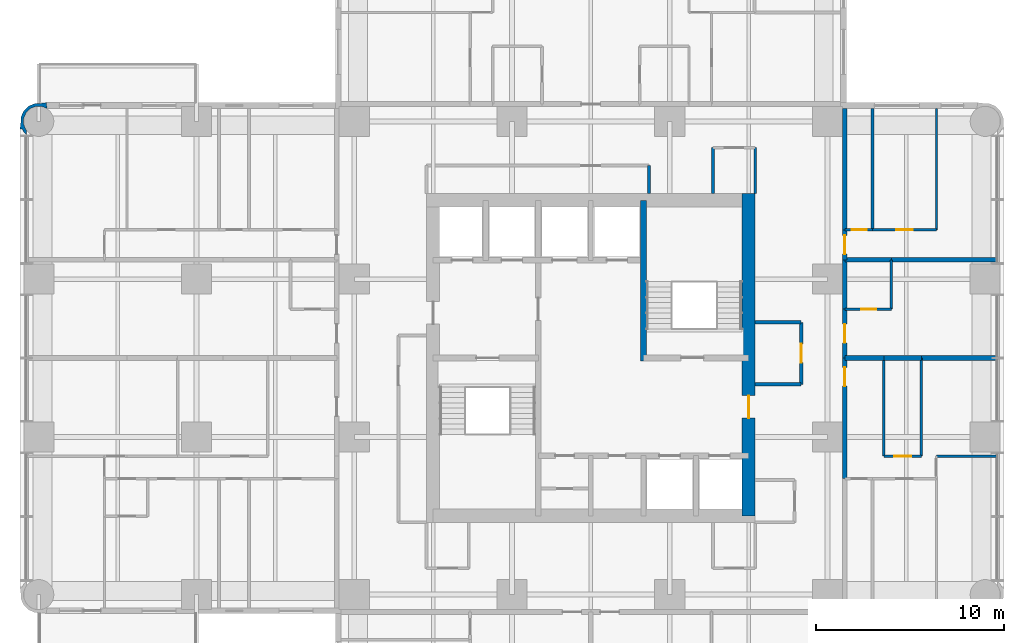
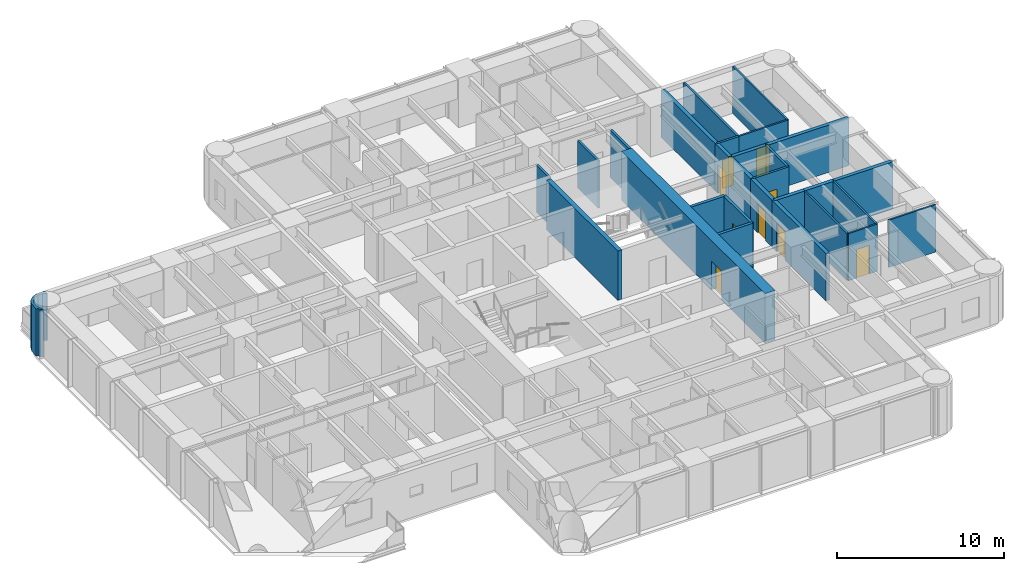
# One storey, part 8 of 11: 29 walls, 9 doors, 9 openings.
"""IFC4 building model written with IfcOpenShell, lengths in metres."""

from ifc_helpers import new_model, si_unit, direction, frame, frame_2d, origin, place, context, subcontext, project, spatial, polyline, rectangle, outline, extrude, material, layer, layer_set, type_object, element, fill, save


model = new_model("IFC4")

# Units and contexts
model_context = context("Model", 3, precision=1e-05, world=origin(), true_north=direction((0.0, 1.0)))
body_context = subcontext(model_context, "Body", "Model", "MODEL_VIEW")
ifc_project = project(units=[si_unit("LENGTHUNIT", "METRE"), si_unit("AREAUNIT", "SQUARE_METRE"), si_unit("VOLUMEUNIT", "CUBIC_METRE"), si_unit("PLANEANGLEUNIT", "RADIAN"), si_unit("MASSUNIT", "GRAM", prefix="KILO")], contexts=[model_context])

# Site, building, storey
site_placement = place(None, origin())
site = spatial("IfcSite", under=ifc_project, at=site_placement, CompositionType="ELEMENT")
building_placement = place(site_placement, origin())
building = spatial("IfcBuilding", under=site, at=building_placement, Name="Torre Alcanfor", CompositionType="ELEMENT")
storey_placement = place(building_placement, frame((0.0, 0.0, 240.89990234375)))
storey = spatial("IfcBuildingStorey", under=building, at=storey_placement, Name="L63", CompositionType="ELEMENT", Elevation=240.89990234375)

# Wall, opening, door
ifc_material_1 = material(Name="Concrete block masonry, hollow blocks NMX-C-404 9 MPa", Category="masonry")
ifc_layer_1 = layer(ifc_material_1, 0.25)
ifc_layer_set_1 = layer_set([ifc_layer_1], Name="Apartment entrance wall 250 EI 60")
wall_type_1 = type_object("IfcWallType", Name="Apartment entrance wall 250 EI 60", PredefinedType="PARTITIONING", material=ifc_layer_set_1)
wall_1_placement = place(storey_placement, frame((42.925048828125, 32.0, 0.0), z_axis=(0.0, 0.0, 1.0), x_axis=(0.0, -1.0, 0.0)))
wall_1 = element("IfcWall", 1, at=wall_1_placement, inside=storey, type_object=wall_type_1, Name="Partition L63-CORR / L63-E1A-STUDIO", PredefinedType="PARTITIONING", context=body_context, shape_type="SweptSolid", body=[
    extrude(rectangle(XDim=2.60009765625, YDim=0.25, at=frame_2d((1.300048828125, 0.0))), origin(), (0.0, 0.0, 1.0), 3.4501953125),
])
opening_1_placement = place(wall_1_placement, frame((0.800048828125, 0.0, 0.0)))
opening_1 = element("IfcOpeningElement", 2, at=opening_1_placement, cuts=wall_1, Name="Opening D-A1", PredefinedType="OPENING", context=body_context, shape_type="SweptSolid", body=[
    extrude(rectangle(XDim=1.0, YDim=2.10009765625, at=frame_2d((0.5, 1.050048828125))), frame((0.0, 0.135009765625, 0.0), z_axis=(0.0, -1.0, 0.0), x_axis=(1.0, 0.0, 0.0)), (0.0, 0.0, 1.0), 0.27001953125),
])
ifc_material_2 = material(Name="Galvanised steel sheet ASTM A653", Category="steel")
door_type_1 = type_object("IfcDoorType", Name="Apartment entrance door FD60 1000x2100", OperationType="SINGLE_SWING_LEFT", PredefinedType="DOOR", material=ifc_material_2)
door_1_placement = place(opening_1_placement, origin())
door_1 = element("IfcDoor", 3, at=door_1_placement, inside=storey, type_object=door_type_1, Name="Apartment entrance L63-E1A", OperationType="SINGLE_SWING_LEFT", OverallHeight=2.10009765625, OverallWidth=1.0, PredefinedType="DOOR", context=body_context, shape_type="SweptSolid", body=[
    extrude(rectangle(XDim=1.0, YDim=2.10009765625, at=frame_2d((0.5, 1.050048828125))), frame((0.0, 0.02490234375, 0.0), z_axis=(0.0, -1.0, 0.0), x_axis=(1.0, 0.0, 0.0)), (0.0, 0.0, 1.0), 0.050048828125),
])
fill(opening_1, door_1)

# Wall
wall_2_placement = place(storey_placement, frame((42.925048828125, 34.62890625, 0.0), z_axis=(0.0, 0.0, 1.0), x_axis=(0.0, -1.0, 0.0)))
element("IfcWall", 4, at=wall_2_placement, inside=storey, type_object=wall_type_1, Name="Partition L63-CORR / L63-E1A-BATH", PredefinedType="PARTITIONING", context=body_context, shape_type="SweptSolid", body=[
    extrude(rectangle(XDim=2.62890625, YDim=0.25, at=frame_2d((1.314453125, 0.0))), origin(), (0.0, 0.0, 1.0), 3.4501953125),
])

# Wall, opening, door
wall_3_placement = place(storey_placement, frame((42.925048828125, 36.22900390625, 0.0), z_axis=(0.0, 0.0, 1.0), x_axis=(0.0, -1.0, 0.0)))
wall_3 = element("IfcWall", 5, at=wall_3_placement, inside=storey, type_object=wall_type_1, Name="Partition L63-CORR / L63-E1B-LIVING", PredefinedType="PARTITIONING", context=body_context, shape_type="SweptSolid", body=[
    extrude(rectangle(XDim=1.60009765625, YDim=0.25, at=frame_2d((0.800048828125, 0.0))), origin(), (0.0, 0.0, 1.0), 3.4501953125),
])
opening_2_placement = place(wall_3_placement, frame((0.300048828125, 0.0, 0.0)))
opening_2 = element("IfcOpeningElement", 6, at=opening_2_placement, cuts=wall_3, Name="Opening D-A1", PredefinedType="OPENING", context=body_context, shape_type="SweptSolid", body=[
    extrude(rectangle(XDim=1.0, YDim=2.10009765625, at=frame_2d((0.5, 1.050048828125))), frame((0.0, 0.135009765625, 0.0), z_axis=(0.0, -1.0, 0.0), x_axis=(1.0, 0.0, 0.0)), (0.0, 0.0, 1.0), 0.27001953125),
])
door_2_placement = place(opening_2_placement, origin())
door_2 = element("IfcDoor", 7, at=door_2_placement, inside=storey, type_object=door_type_1, Name="Apartment entrance L63-E1B", OperationType="SINGLE_SWING_LEFT", OverallHeight=2.10009765625, OverallWidth=1.0, PredefinedType="DOOR", context=body_context, shape_type="SweptSolid", body=[
    extrude(rectangle(XDim=1.0, YDim=2.10009765625, at=frame_2d((0.5, 1.050048828125))), frame((0.0, 0.02490234375, 0.0), z_axis=(0.0, -1.0, 0.0), x_axis=(1.0, 0.0, 0.0)), (0.0, 0.0, 1.0), 0.050048828125),
])
fill(opening_2, door_2)

# Wall
wall_4_placement = place(storey_placement, frame((42.925048828125, 42.699951171875, 0.0), z_axis=(0.0, 0.0, 1.0), x_axis=(0.0, -1.0, 0.0)))
element("IfcWall", 8, at=wall_4_placement, inside=storey, type_object=wall_type_1, Name="Partition L63-CORR / L63-E1B-BATH", PredefinedType="PARTITIONING", context=body_context, shape_type="SweptSolid", body=[
    extrude(rectangle(XDim=6.470947265625, YDim=0.25, at=frame_2d((3.2353515625, 0.0))), origin(), (0.0, 0.0, 1.0), 3.4501953125),
])

# Wall, opening, door
wall_5_placement = place(storey_placement, frame((42.925048828125, 29.39990234375, 0.0), z_axis=(0.0, 0.0, 1.0), x_axis=(0.0, -1.0, 0.0)))
wall_5 = element("IfcWall", 9, at=wall_5_placement, inside=storey, type_object=wall_type_1, Name="Partition L63-CORR / L63-E2-LIVING", PredefinedType="PARTITIONING", context=body_context, shape_type="SweptSolid", body=[
    extrude(rectangle(XDim=6.428955078125, YDim=0.25, at=frame_2d((3.21435546875, 0.0))), origin(), (0.0, 0.0, 1.0), 3.4501953125),
])
opening_3_placement = place(wall_5_placement, frame((0.5, 0.0, 0.0)))
opening_3 = element("IfcOpeningElement", 10, at=opening_3_placement, cuts=wall_5, Name="Opening D-A1", PredefinedType="OPENING", context=body_context, shape_type="SweptSolid", body=[
    extrude(rectangle(XDim=1.0, YDim=2.10009765625, at=frame_2d((0.5, 1.050048828125))), frame((0.0, 0.135009765625, 0.0), z_axis=(0.0, -1.0, 0.0), x_axis=(1.0, 0.0, 0.0)), (0.0, 0.0, 1.0), 0.27001953125),
])
door_3_placement = place(opening_3_placement, origin())
door_3 = element("IfcDoor", 11, at=door_3_placement, inside=storey, type_object=door_type_1, Name="Apartment entrance L63-E2", OperationType="SINGLE_SWING_LEFT", OverallHeight=2.10009765625, OverallWidth=1.0, PredefinedType="DOOR", context=body_context, shape_type="SweptSolid", body=[
    extrude(rectangle(XDim=1.0, YDim=2.10009765625, at=frame_2d((0.5, 1.050048828125))), frame((0.0, 0.02490234375, 0.0), z_axis=(0.0, -1.0, 0.0), x_axis=(1.0, 0.0, 0.0)), (0.0, 0.0, 1.0), 0.050048828125),
])
fill(opening_3, door_3)

ifc_material_3 = material(Name="Gypsum board on steel studs", Category="steel")
ifc_layer_2 = layer(ifc_material_3, 0.1201171875)
ifc_layer_set_2 = layer_set([ifc_layer_2], Name="Apartment partition 120")
wall_type_2 = type_object("IfcWallType", Name="Apartment partition 120", PredefinedType="PARTITIONING", material=ifc_layer_set_2)
wall_6_placement = place(storey_placement, frame((44.39990234375, 36.22900390625, 0.0), z_axis=(0.0, 0.0, 1.0), x_axis=(1.0, 0.0, 0.0)))
wall_6 = element("IfcWall", 12, at=wall_6_placement, inside=storey, type_object=wall_type_2, Name="Partition L63-E1B-LIVING / L63-E1B-MASTER", PredefinedType="PARTITIONING", context=body_context, shape_type="SweptSolid", body=[
    extrude(rectangle(XDim=3.400146484375, YDim=0.1201171875, at=frame_2d((1.7001953125, 0.0))), origin(), (0.0, 0.0, 1.0), 3.4501953125),
])
opening_4_placement = place(wall_6_placement, frame((1.25, 0.0, 0.0)))
opening_4 = element("IfcOpeningElement", 13, at=opening_4_placement, cuts=wall_6, Name="Opening D-R1", PredefinedType="OPENING", context=body_context, shape_type="SweptSolid", body=[
    extrude(rectangle(XDim=0.89990234375, YDim=2.10009765625, at=frame_2d((0.449951171875, 1.050048828125))), frame((0.0, 0.070068359375, 0.0), z_axis=(0.0, -1.0, 0.0), x_axis=(1.0, 0.0, 0.0)), (0.0, 0.0, 1.0), 0.14013671875),
])
ifc_material_4 = material(Name="Timber", Category="wood")
door_type_2 = type_object("IfcDoorType", Name="Internal door 900x2100", OperationType="SINGLE_SWING_LEFT", PredefinedType="DOOR", material=ifc_material_4)
door_4_placement = place(opening_4_placement, origin())
door_4 = element("IfcDoor", 14, at=door_4_placement, inside=storey, type_object=door_type_2, Name="Door L63-E1B master", OperationType="SINGLE_SWING_LEFT", OverallHeight=2.10009765625, OverallWidth=0.89990234375, PredefinedType="DOOR", context=body_context, shape_type="SweptSolid", body=[
    extrude(rectangle(XDim=0.89990234375, YDim=2.10009765625, at=frame_2d((0.449951171875, 1.050048828125))), frame((0.0, 0.02490234375, 0.0), z_axis=(0.0, -1.0, 0.0), x_axis=(1.0, 0.0, 0.0)), (0.0, 0.0, 1.0), 0.050048828125),
])
fill(opening_4, door_4)

# Walls
wall_7_placement = place(storey_placement, frame((47.800048828125, 36.22900390625, 0.0), z_axis=(0.0, 0.0, 1.0), x_axis=(0.0, 1.0, 0.0)))
element("IfcWall", 15, at=wall_7_placement, inside=storey, type_object=wall_type_2, Name="Partition L63-E1B-LIVING / L63-E1B-MASTER", PredefinedType="PARTITIONING", context=body_context, shape_type="SweptSolid", body=[
    extrude(rectangle(XDim=6.470947265625, YDim=0.1201171875, at=frame_2d((3.2353515625, 0.0))), origin(), (0.0, 0.0, 1.0), 3.4501953125),
])
wall_8_placement = place(storey_placement, frame((47.0, 29.39990234375, 0.0), z_axis=(0.0, 0.0, 1.0), x_axis=(0.0, -1.0, 0.0)))
element("IfcWall", 16, at=wall_8_placement, inside=storey, type_object=wall_type_2, Name="Partition L63-E2-KITCHEN / L63-E2-LIVING", PredefinedType="PARTITIONING", context=body_context, shape_type="SweptSolid", body=[
    extrude(rectangle(XDim=5.22900390625, YDim=0.1201171875, at=frame_2d((2.614501953125, 0.0))), origin(), (0.0, 0.0, 1.0), 3.4501953125),
])

# Wall, opening, door
wall_9_placement = place(storey_placement, frame((47.0, 24.1708984375, 0.0), z_axis=(0.0, 0.0, 1.0), x_axis=(-1.0, 0.0, 0.0)))
wall_9 = element("IfcWall", 17, at=wall_9_placement, inside=storey, type_object=wall_type_2, Name="Partition L63-E2-KITCHEN / L63-E2-LIVING", PredefinedType="PARTITIONING", context=body_context, shape_type="SweptSolid", body=[
    extrude(rectangle(XDim=2.0, YDim=0.1201171875, at=frame_2d((1.0, 0.0))), origin(), (0.0, 0.0, 1.0), 3.4501953125),
])
opening_5_placement = place(wall_9_placement, frame((0.550048828125, 0.0, 0.0)))
opening_5 = element("IfcOpeningElement", 18, at=opening_5_placement, cuts=wall_9, Name="Opening D-R1", PredefinedType="OPENING", context=body_context, shape_type="SweptSolid", body=[
    extrude(rectangle(XDim=0.89990234375, YDim=2.10009765625, at=frame_2d((0.449951171875, 1.050048828125))), frame((0.0, 0.070068359375, 0.0), z_axis=(0.0, -1.0, 0.0), x_axis=(1.0, 0.0, 0.0)), (0.0, 0.0, 1.0), 0.14013671875),
])
door_5_placement = place(opening_5_placement, frame((0.89990234375, 0.0, 0.0), z_axis=(0.0, 0.0, 1.0), x_axis=(-1.0, 0.0, 0.0)))
door_5 = element("IfcDoor", 19, at=door_5_placement, inside=storey, type_object=door_type_2, Name="Door L63-E2 kitchen", OperationType="SINGLE_SWING_RIGHT", OverallHeight=2.10009765625, OverallWidth=0.89990234375, PredefinedType="DOOR", context=body_context, shape_type="SweptSolid", body=[
    extrude(rectangle(XDim=0.89990234375, YDim=2.10009765625, at=frame_2d((0.449951171875, 1.050048828125))), frame((0.0, 0.025146484375, 0.0), z_axis=(0.0, -1.0, 0.0), x_axis=(1.0, 0.0, 0.0)), (0.0, 0.0, 1.0), 0.050048828125),
])
fill(opening_5, door_5)

# Walls
wall_10_placement = place(storey_placement, frame((45.0, 24.1708984375, 0.0), z_axis=(0.0, 0.0, 1.0), x_axis=(0.0, 1.0, 0.0)))
element("IfcWall", 20, at=wall_10_placement, inside=storey, type_object=wall_type_2, Name="Partition L63-E2-KITCHEN / L63-E2-LIVING", PredefinedType="PARTITIONING", context=body_context, shape_type="SweptSolid", body=[
    extrude(rectangle(XDim=5.22900390625, YDim=0.1201171875, at=frame_2d((2.614501953125, 0.0))), origin(), (0.0, 0.0, 1.0), 3.4501953125),
])
wall_11_placement = place(storey_placement, frame((51.050048828125, 24.1708984375, 0.0), z_axis=(0.0, 0.0, 1.0), x_axis=(-1.0, 0.0, 0.0)))
element("IfcWall", 21, at=wall_11_placement, inside=storey, type_object=wall_type_2, Name="Partition L63-E2-LIVING / L63-E2-MASTER", PredefinedType="PARTITIONING", context=body_context, shape_type="SweptSolid", body=[
    extrude(rectangle(XDim=3.25, YDim=0.1201171875, at=frame_2d((1.625, 0.0))), origin(), (0.0, 0.0, 1.0), 3.4501953125),
])
ifc_material_5 = material(Name="Concrete f'c 70 MPa", Category="concrete")
ifc_layer_3 = layer(ifc_material_5, 0.300048828125)
ifc_layer_set_3 = layer_set([ifc_layer_3], Name="Core inner wall 300 f'c70")
wall_type_3 = type_object("IfcWallType", Name="Core inner wall 300 f'c70", PredefinedType="SHEAR", material=ifc_layer_set_3)
wall_12_placement = place(storey_placement, frame((32.199951171875, 29.25, 0.0), z_axis=(0.0, 0.0, 1.0), x_axis=(0.0, 1.0, 0.0)))
element("IfcWall", 22, at=wall_12_placement, inside=storey, type_object=wall_type_3, Name="Core wall X322N L63", PredefinedType="SHEAR", context=body_context, shape_type="SweptSolid", body=[
    extrude(rectangle(XDim=8.550048828125, YDim=0.300048828125, at=frame_2d((4.27490234375, 0.0))), origin(), (0.0, 0.0, 1.0), 3.60009765625),
])

# Wall, opening, door
ifc_material_6 = material(Name="Concrete f'c 70 MPa", Category="concrete")
ifc_layer_4 = layer(ifc_material_6, 0.699951171875)
ifc_layer_set_4 = layer_set([ifc_layer_4], Name="Core wall 700 f'c70")
wall_type_4 = type_object("IfcWallType", Name="Core wall 700 f'c70", PredefinedType="SHEAR", material=ifc_layer_set_4)
wall_13_placement = place(storey_placement, frame((37.800048828125, 21.0, 0.0), z_axis=(0.0, 0.0, 1.0), x_axis=(0.0, 1.0, 0.0)))
wall_13 = element("IfcWall", 23, at=wall_13_placement, inside=storey, type_object=wall_type_4, Name="Core wall OUT-E L63", PredefinedType="SHEAR", context=body_context, shape_type="SweptSolid", body=[
    extrude(rectangle(XDim=17.14990234375, YDim=0.699951171875, at=frame_2d((8.574951171875, 0.0))), origin(), (0.0, 0.0, 1.0), 3.60009765625),
])
opening_6_placement = place(wall_13_placement, frame((5.199951171875, 0.0, 0.0)))
opening_6 = element("IfcOpeningElement", 24, at=opening_6_placement, cuts=wall_13, Name="Opening D-L1", PredefinedType="OPENING", context=body_context, shape_type="SweptSolid", body=[
    extrude(rectangle(XDim=1.199951171875, YDim=2.10009765625, at=frame_2d((0.60009765625, 1.050048828125))), frame((0.0, 0.35986328125, 0.0), z_axis=(0.0, -1.0, 0.0), x_axis=(1.0, 0.0, 0.0)), (0.0, 0.0, 1.0), 0.719970703125),
])
ifc_material_7 = material(Name="Galvanised steel sheet ASTM A653", Category="steel")
door_type_3 = type_object("IfcDoorType", Name="Lobby door FD120 1200x2100", OperationType="SINGLE_SWING_LEFT", PredefinedType="DOOR", material=ifc_material_7)
door_6_placement = place(opening_6_placement, origin())
door_6 = element("IfcDoor", 25, at=door_6_placement, inside=storey, type_object=door_type_3, Name="Lift lobby entrance door L63", OperationType="SINGLE_SWING_LEFT", OverallHeight=2.10009765625, OverallWidth=1.199951171875, PredefinedType="DOOR", context=body_context, shape_type="SweptSolid", body=[
    extrude(rectangle(XDim=1.199951171875, YDim=2.10009765625, at=frame_2d((0.60009765625, 1.050048828125))), frame((0.0, 0.02490234375, 0.0), z_axis=(0.0, -1.0, 0.0), x_axis=(1.0, 0.0, 0.0)), (0.0, 0.0, 1.0), 0.050048828125),
])
fill(opening_6, door_6)

# Walls
ifc_material_8 = material(Name="Concrete block masonry, hollow blocks NMX-C-404 9 MPa", Category="masonry")
ifc_layer_5 = layer(ifc_material_8, 0.25)
ifc_layer_set_5 = layer_set([ifc_layer_5], Name="Party wall 250 EI 60")
wall_type_5 = type_object("IfcWallType", Name="Party wall 250 EI 60", PredefinedType="PARTITIONING", material=ifc_layer_set_5)
wall_14_placement = place(storey_placement, frame((45.39990234375, 34.62890625, 0.0), z_axis=(0.0, 0.0, 1.0), x_axis=(1.0, 0.0, 0.0)))
element("IfcWall", 26, at=wall_14_placement, inside=storey, type_object=wall_type_5, Name="Partition L63-E1A-STUDIO / L63-E1B-LIVING", PredefinedType="PARTITIONING", context=body_context, shape_type="SweptSolid", body=[
    extrude(rectangle(XDim=5.650146484375, YDim=0.25, at=frame_2d((2.8251953125, 0.0))), origin(), (0.0, 0.0, 1.0), 3.4501953125),
])
wall_15_placement = place(storey_placement, frame((47.0, 29.39990234375, 0.0), z_axis=(0.0, 0.0, 1.0), x_axis=(-1.0, 0.0, 0.0)))
element("IfcWall", 27, at=wall_15_placement, inside=storey, type_object=wall_type_5, Name="Partition L63-E1A-STUDIO / L63-E2-KITCHEN", PredefinedType="PARTITIONING", context=body_context, shape_type="SweptSolid", body=[
    extrude(rectangle(XDim=2.0, YDim=0.25, at=frame_2d((1.0, 0.0))), origin(), (0.0, 0.0, 1.0), 3.4501953125),
])
wall_16_placement = place(storey_placement, frame((45.0, 29.39990234375, 0.0), z_axis=(0.0, 0.0, 1.0), x_axis=(-1.0, 0.0, 0.0)))
element("IfcWall", 28, at=wall_16_placement, inside=storey, type_object=wall_type_5, Name="Partition L63-E1A-STUDIO / L63-E2-LIVING", PredefinedType="PARTITIONING", context=body_context, shape_type="SweptSolid", body=[
    extrude(rectangle(XDim=2.074951171875, YDim=0.25, at=frame_2d((1.03759765625, 0.0))), origin(), (0.0, 0.0, 1.0), 3.4501953125),
])
wall_17_placement = place(storey_placement, frame((51.050048828125, 29.39990234375, 0.0), z_axis=(0.0, 0.0, 1.0), x_axis=(-1.0, 0.0, 0.0)))
element("IfcWall", 29, at=wall_17_placement, inside=storey, type_object=wall_type_5, Name="Partition L63-E1A-STUDIO / L63-E2-LIVING", PredefinedType="PARTITIONING", context=body_context, shape_type="SweptSolid", body=[
    extrude(rectangle(XDim=4.050048828125, YDim=0.25, at=frame_2d((2.02490234375, 0.0))), origin(), (0.0, 0.0, 1.0), 3.4501953125),
])
wall_18_placement = place(storey_placement, frame((45.39990234375, 34.62890625, 0.0), z_axis=(0.0, 0.0, 1.0), x_axis=(-1.0, 0.0, 0.0)))
element("IfcWall", 30, at=wall_18_placement, inside=storey, type_object=wall_type_5, Name="Partition L63-E1A-BATH / L63-E1B-LIVING", PredefinedType="PARTITIONING", context=body_context, shape_type="SweptSolid", body=[
    extrude(rectangle(XDim=2.474853515625, YDim=0.25, at=frame_2d((1.2373046875, 0.0))), origin(), (0.0, 0.0, 1.0), 3.4501953125),
])
ifc_material_9 = material(Name="Concrete block masonry, hollow blocks NMX-C-404 9 MPa", Category="masonry")
ifc_layer_6 = layer(ifc_material_9, 0.199951171875)
ifc_layer_set_6 = layer_set([ifc_layer_6], Name="Plant room wall 200 EI 60")
wall_type_6 = type_object("IfcWallType", Name="Plant room wall 200 EI 60", PredefinedType="PARTITIONING", material=ifc_layer_set_6)
wall_19_placement = place(storey_placement, frame((38.14990234375, 28.0, 0.0), z_axis=(0.0, 0.0, 1.0), x_axis=(1.0, 0.0, 0.0)))
element("IfcWall", 31, at=wall_19_placement, inside=storey, type_object=wall_type_6, Name="Partition L63-CORR / L63-G04", PredefinedType="PARTITIONING", context=body_context, shape_type="SweptSolid", body=[
    extrude(rectangle(XDim=2.4501953125, YDim=0.199951171875, at=frame_2d((1.22509765625, 0.0))), origin(), (0.0, 0.0, 1.0), 3.4501953125),
])

# Wall, opening, door
wall_20_placement = place(storey_placement, frame((40.60009765625, 28.0, 0.0), z_axis=(0.0, 0.0, 1.0), x_axis=(0.0, 1.0, 0.0)))
wall_20 = element("IfcWall", 32, at=wall_20_placement, inside=storey, type_object=wall_type_6, Name="Partition L63-CORR / L63-G04", PredefinedType="PARTITIONING", context=body_context, shape_type="SweptSolid", body=[
    extrude(rectangle(XDim=3.300048828125, YDim=0.199951171875, at=frame_2d((1.64990234375, 0.0))), origin(), (0.0, 0.0, 1.0), 3.4501953125),
])
opening_7_placement = place(wall_20_placement, frame((1.14990234375, 0.0, 0.0)))
opening_7 = element("IfcOpeningElement", 33, at=opening_7_placement, cuts=wall_20, Name="Opening D-K1", PredefinedType="OPENING", context=body_context, shape_type="SweptSolid", body=[
    extrude(rectangle(XDim=1.0, YDim=2.10009765625, at=frame_2d((0.5, 1.050048828125))), frame((0.0, 0.10986328125, 0.0), z_axis=(0.0, -1.0, 0.0), x_axis=(1.0, 0.0, 0.0)), (0.0, 0.0, 1.0), 0.219970703125),
])
ifc_material_10 = material(Name="Galvanised steel sheet ASTM A653", Category="steel")
door_type_4 = type_object("IfcDoorType", Name="Core room door FD60 1000x2100", OperationType="SINGLE_SWING_LEFT", PredefinedType="DOOR", material=ifc_material_10)
door_7_placement = place(opening_7_placement, origin())
door_7 = element("IfcDoor", 34, at=door_7_placement, inside=storey, type_object=door_type_4, Name="Door L63-G04 refuse and recycling store", OperationType="SINGLE_SWING_LEFT", OverallHeight=2.10009765625, OverallWidth=1.0, PredefinedType="DOOR", context=body_context, shape_type="SweptSolid", body=[
    extrude(rectangle(XDim=1.0, YDim=2.10009765625, at=frame_2d((0.5, 1.050048828125))), frame((0.0, 0.02490234375, 0.0), z_axis=(0.0, -1.0, 0.0), x_axis=(1.0, 0.0, 0.0)), (0.0, 0.0, 1.0), 0.050048828125),
])
fill(opening_7, door_7)

# Walls
wall_21_placement = place(storey_placement, frame((40.60009765625, 31.300048828125, 0.0), z_axis=(0.0, 0.0, 1.0), x_axis=(-1.0, 0.0, 0.0)))
element("IfcWall", 35, at=wall_21_placement, inside=storey, type_object=wall_type_6, Name="Partition L63-CORR / L63-G04", PredefinedType="PARTITIONING", context=body_context, shape_type="SweptSolid", body=[
    extrude(rectangle(XDim=2.4501953125, YDim=0.199951171875, at=frame_2d((1.22509765625, 0.0))), origin(), (0.0, 0.0, 1.0), 3.4501953125),
])
ifc_material_11 = material(Name="Concrete block masonry, hollow blocks NMX-C-404 9 MPa", Category="masonry")
ifc_layer_7 = layer(ifc_material_11, 0.14990234375)
ifc_layer_set_7 = layer_set([ifc_layer_7], Name="Residents' room partition 150")
wall_type_7 = type_object("IfcWallType", Name="Residents' room partition 150", PredefinedType="PARTITIONING", material=ifc_layer_set_7)
wall_22_placement = place(storey_placement, frame((32.5, 38.14990234375, 0.0), z_axis=(0.0, 0.0, 1.0), x_axis=(0.0, 1.0, 0.0)))
element("IfcWall", 36, at=wall_22_placement, inside=storey, type_object=wall_type_7, Name="Partition L63-CORR / L63-G01", PredefinedType="PARTITIONING", context=body_context, shape_type="SweptSolid", body=[
    extrude(rectangle(XDim=1.5, YDim=0.14990234375, at=frame_2d((0.75, 0.0))), origin(), (0.0, 0.0, 1.0), 3.4501953125),
])
for number, where, z_axis, x_axis, name in (
    (37, (38.14990234375, 38.14990234375, 0.0), (0.0, 0.0, 1.0), (0.0, 1.0, 0.0), "Partition L63-CORR / L63-G02"),
    (38, (35.89990234375, 40.60009765625, 0.0), (0.0, 0.0, 1.0), (0.0, -1.0, 0.0), "Partition L63-CORR / L63-G02"),
):
    element("IfcWall", number, at=place(storey_placement, frame(where, z_axis=z_axis, x_axis=x_axis)), inside=storey, type_object=wall_type_7, Name=name, PredefinedType="PARTITIONING", context=body_context, shape_type="SweptSolid", body=[
        extrude(rectangle(XDim=2.4501953125, YDim=0.14990234375, at=frame_2d((1.22509765625, 0.0))), origin(), (0.0, 0.0, 1.0), 3.4501953125),
    ])
ifc_material_12 = material(Name="Limestone cladding", Category="masonry")
ifc_layer_8 = layer(ifc_material_12, 0.0400390625, Name="Facing")
ifc_material_13 = material(Name="Ventilated air cavity")
ifc_layer_9 = layer(ifc_material_13, 0.02001953125, ventilated=True, Name="Ventilated joint")
ifc_material_14 = material(Name="Mineral wool insulation", Category="insulation")
ifc_layer_10 = layer(ifc_material_14, 0.10009765625, Name="Insulation")
ifc_material_15 = material(Name="Concrete f'c 35 MPa", Category="concrete")
ifc_layer_11 = layer(ifc_material_15, 0.139892578125, Name="Backing")
ifc_layer_set_8 = layer_set([ifc_layer_8, ifc_layer_9, ifc_layer_10, ifc_layer_11], Name="Rounded corner pier stone-clad 300")
wall_type_8 = type_object("IfcWallType", Name="Rounded corner pier stone-clad 300", PredefinedType="SOLIDWALL", material=ifc_layer_set_8)
wall_23_placement = place(storey_placement, frame((0.326823795, 42.817059488, 0.0), z_axis=(0.0, 0.0, 1.0), x_axis=(-0.93923434088, 0.343276641956, 0.0)))
element("IfcWall", 39, at=wall_23_placement, inside=storey, type_object=wall_type_8, Name="Corner pier L63 13", PredefinedType="SOLIDWALL", context=body_context, shape_type="SweptSolid", body=[
    extrude(outline(polyline([(-0.005838677930572508, -0.19691017002240385), (0.2656725893480827, -0.05504723679548061), (0.5353355739365452, 0.04351070532859805), (0.8164808166219237, 0.3019667887790936), (0.9774010351300944, 0.6482698031873169), (0.9936526519661447, 1.0298167590229048), (0.8950947098420661, 1.2994797436113674), (0.8284439015683875, 1.5984799607341533), (0.6967504599124257, 1.5690632792769885), (0.6041212101125378, 1.6695954267902182), (0.39402236502400456, 1.7672242392847775), (0.4711255170258348, 1.5562634010012864), (0.5086990809760941, 1.538803702790635), (0.7241945805605172, 1.30408163961566), (0.8334799177457201, 1.0050675818747117), (0.8201287688443563, 0.6867053603325339), (0.6856890926223405, 0.3973889179155373), (0.4509670294473655, 0.1818934183311141), (0.15195297170641725, 0.07260808114591123), (-0.11630424425966698, 0.08399689688883538), (-0.12741215805145528, 0.07811756360614214), (-0.14598588403076265, 0.07132913391902448), (-0.005838677930572508, -0.19691017002240385)])), origin(), (0.0, 0.0, 1.0), 3.4501953125),
])

# Wall, opening, door
ifc_material_16 = material(Name="Cement board on steel studs", Category="steel")
ifc_layer_12 = layer(ifc_material_16, 0.14990234375)
ifc_layer_set_9 = layer_set([ifc_layer_12], Name="Wet area partition 150")
wall_type_9 = type_object("IfcWallType", Name="Wet area partition 150", PredefinedType="PARTITIONING", material=ifc_layer_set_9)
wall_24_placement = place(storey_placement, frame((42.925048828125, 32.0, 0.0), z_axis=(0.0, 0.0, 1.0), x_axis=(1.0, 0.0, 0.0)))
wall_24 = element("IfcWall", 40, at=wall_24_placement, inside=storey, type_object=wall_type_9, Name="Partition L63-E1A-STUDIO / L63-E1A-BATH", PredefinedType="PARTITIONING", context=body_context, shape_type="SweptSolid", body=[
    extrude(rectangle(XDim=2.474853515625, YDim=0.14990234375, at=frame_2d((1.2373046875, 0.0))), origin(), (0.0, 0.0, 1.0), 3.4501953125),
])
opening_8_placement = place(wall_24_placement, frame((0.875, 0.0, 0.0)))
opening_8 = element("IfcOpeningElement", 41, at=opening_8_placement, cuts=wall_24, Name="Opening D-R2", PredefinedType="OPENING", context=body_context, shape_type="SweptSolid", body=[
    extrude(rectangle(XDim=0.800048828125, YDim=2.10009765625, at=frame_2d((0.39990234375, 1.050048828125))), frame((0.0, 0.0849609375, 0.0), z_axis=(0.0, -1.0, 0.0), x_axis=(1.0, 0.0, 0.0)), (0.0, 0.0, 1.0), 0.169921875),
])
ifc_material_17 = material(Name="Timber", Category="wood")
door_type_5 = type_object("IfcDoorType", Name="Bathroom door 800x2100", OperationType="SINGLE_SWING_LEFT", PredefinedType="DOOR", material=ifc_material_17)
door_8_placement = place(opening_8_placement, origin())
door_8 = element("IfcDoor", 42, at=door_8_placement, inside=storey, type_object=door_type_5, Name="Door L63-E1A bath", OperationType="SINGLE_SWING_RIGHT", OverallHeight=2.10009765625, OverallWidth=0.800048828125, PredefinedType="DOOR", context=body_context, shape_type="SweptSolid", body=[
    extrude(rectangle(XDim=0.800048828125, YDim=2.10009765625, at=frame_2d((0.39990234375, 1.050048828125))), frame((0.0, 0.02490234375, 0.0), z_axis=(0.0, -1.0, 0.0), x_axis=(1.0, 0.0, 0.0)), (0.0, 0.0, 1.0), 0.050048828125),
])
fill(opening_8, door_8)

# Wall
wall_25_placement = place(storey_placement, frame((45.39990234375, 32.0, 0.0), z_axis=(0.0, 0.0, 1.0), x_axis=(0.0, 1.0, 0.0)))
element("IfcWall", 43, at=wall_25_placement, inside=storey, type_object=wall_type_9, Name="Partition L63-E1A-STUDIO / L63-E1A-BATH", PredefinedType="PARTITIONING", context=body_context, shape_type="SweptSolid", body=[
    extrude(rectangle(XDim=2.62890625, YDim=0.14990234375, at=frame_2d((1.314453125, 0.0))), origin(), (0.0, 0.0, 1.0), 3.4501953125),
])

# Wall, opening, door
wall_26_placement = place(storey_placement, frame((42.925048828125, 36.22900390625, 0.0), z_axis=(0.0, 0.0, 1.0), x_axis=(1.0, 0.0, 0.0)))
wall_26 = element("IfcWall", 44, at=wall_26_placement, inside=storey, type_object=wall_type_9, Name="Partition L63-E1B-LIVING / L63-E1B-BATH", PredefinedType="PARTITIONING", context=body_context, shape_type="SweptSolid", body=[
    extrude(rectangle(XDim=1.474853515625, YDim=0.14990234375, at=frame_2d((0.7373046875, 0.0))), origin(), (0.0, 0.0, 1.0), 3.4501953125),
])
opening_9_placement = place(wall_26_placement, frame((0.375, 0.0, 0.0)))
opening_9 = element("IfcOpeningElement", 45, at=opening_9_placement, cuts=wall_26, Name="Opening D-R2", PredefinedType="OPENING", context=body_context, shape_type="SweptSolid", body=[
    extrude(rectangle(XDim=0.800048828125, YDim=2.10009765625, at=frame_2d((0.39990234375, 1.050048828125))), frame((0.0, 0.0849609375, 0.0), z_axis=(0.0, -1.0, 0.0), x_axis=(1.0, 0.0, 0.0)), (0.0, 0.0, 1.0), 0.169921875),
])
door_9_placement = place(opening_9_placement, origin())
door_9 = element("IfcDoor", 46, at=door_9_placement, inside=storey, type_object=door_type_5, Name="Door L63-E1B bath", OperationType="SINGLE_SWING_RIGHT", OverallHeight=2.10009765625, OverallWidth=0.800048828125, PredefinedType="DOOR", context=body_context, shape_type="SweptSolid", body=[
    extrude(rectangle(XDim=0.800048828125, YDim=2.10009765625, at=frame_2d((0.39990234375, 1.050048828125))), frame((0.0, 0.02490234375, 0.0), z_axis=(0.0, -1.0, 0.0), x_axis=(1.0, 0.0, 0.0)), (0.0, 0.0, 1.0), 0.050048828125),
])
fill(opening_9, door_9)

# Wall
wall_27_placement = place(storey_placement, frame((44.39990234375, 36.22900390625, 0.0), z_axis=(0.0, 0.0, 1.0), x_axis=(0.0, 1.0, 0.0)))
element("IfcWall", 47, at=wall_27_placement, inside=storey, type_object=wall_type_9, Name="Partition L63-E1B-BATH / L63-E1B-MASTER", PredefinedType="PARTITIONING", context=body_context, shape_type="SweptSolid", body=[
    extrude(rectangle(XDim=6.470947265625, YDim=0.14990234375, at=frame_2d((3.2353515625, 0.0))), origin(), (0.0, 0.0, 1.0), 3.4501953125),
])

save(model, "model.ifc")
